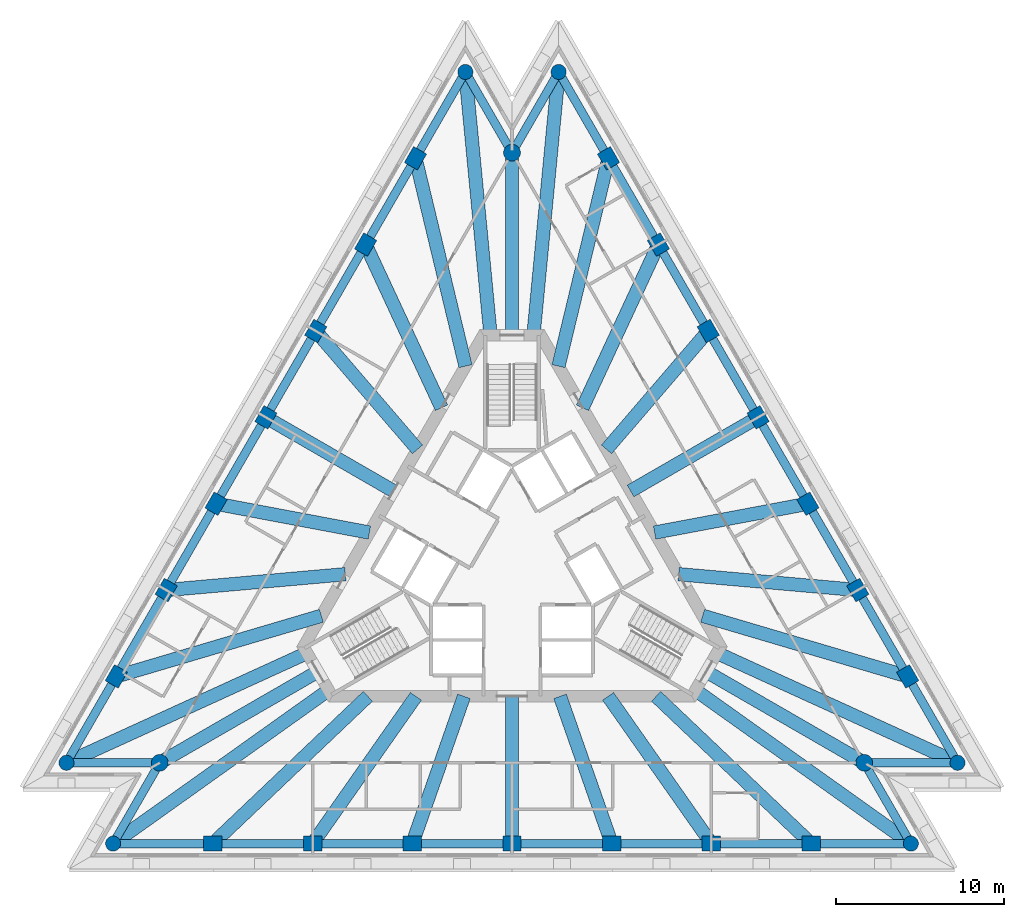
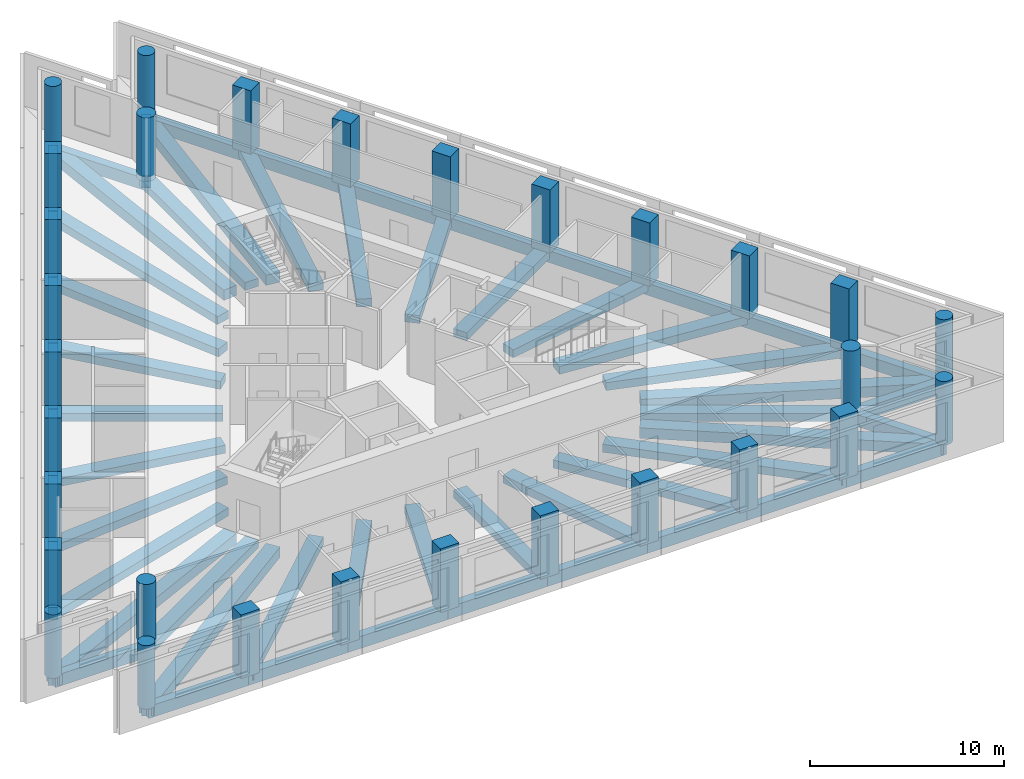
# One storey, part 1 of 9: 60 beams, 30 columns.
"""IFC4 building model written with IfcOpenShell, lengths in metres."""

from ifc_helpers import new_model, si_unit, direction, frame, origin, origin_2d, place, context, subcontext, project, spatial, rectangle, circle, extrude, material, material_profile, profile_set, type_object, element, save


model = new_model("IFC4")

# Units and contexts
model_context = context("Model", 3, precision=1e-05, world=origin(), true_north=direction((0.0, 1.0)))
body_context = subcontext(model_context, "Body", "Model", "MODEL_VIEW")
ifc_project = project(units=[si_unit("LENGTHUNIT", "METRE"), si_unit("AREAUNIT", "SQUARE_METRE"), si_unit("VOLUMEUNIT", "CUBIC_METRE"), si_unit("PLANEANGLEUNIT", "RADIAN"), si_unit("MASSUNIT", "GRAM", prefix="KILO")], contexts=[model_context])

# Site, building, storey
site_placement = place(None, origin())
site = spatial("IfcSite", under=ifc_project, at=site_placement, CompositionType="ELEMENT")
building_placement = place(site_placement, origin())
building = spatial("IfcBuilding", under=site, at=building_placement, Name="Triada Interchange Tower", CompositionType="ELEMENT")
storey_placement = place(building_placement, frame((0.0, 0.0, 235.300048828125)))
storey = spatial("IfcBuildingStorey", under=building, at=storey_placement, Name="L55", CompositionType="ELEMENT", Elevation=235.300048828125)

# Columns
ifc_material = material(Name="Concrete C50/60", Category="concrete")
ifc_material_profile_1 = material_profile(ifc_material, rectangle(XDim=1.10009765625, YDim=0.89990234375, at=origin_2d()), Name="RC 1100x900")
ifc_profile_set_1 = profile_set([ifc_material_profile_1], Name="Concrete C50/60")
column_type_1 = type_object("IfcColumnType", Name="Column C face RC 1100x900", PredefinedType="COLUMN", material=ifc_profile_set_1)
for number, where, z_axis, x_axis, name in (
    (1, (-5.7451171875, 23.882080078125, -0.300048828125), (0.0, 0.0, 1.0), (0.5, 0.866025403784, 0.0), "Column CC02 L55"),
    (2, (-8.714111328125, 18.740966796875, -0.300048828125), (0.0, 0.0, 1.0), (0.5, 0.866025403784, 0.0), "Column CC03 L55"),
    (3, (-11.681884765625, 13.60009765625, -0.300048828125), (0.0, 0.0, 1.0), (0.5, 0.866025403784, 0.0), "Column CC04 L55"),
    (4, (-14.65087890625, 8.4580078125, -0.300048828125), (0.0, 0.0, 1.0), (0.5, 0.866025403784, 0.0), "Column CC05 L55"),
    (5, (-17.618896484375, 3.31689453125, -0.300048828125), (0.0, 0.0, 1.0), (0.5, 0.866025403784, 0.0), "Column CC06 L55"),
    (6, (-20.5869140625, -1.823974609375, -0.300048828125), (0.0, 0.0, 1.0), (0.5, 0.866025403784, 0.0), "Column CC07 L55"),
    (7, (-23.555908203125, -6.965087890625, -0.300048828125), (0.0, 0.0, 1.0), (0.5, 0.866025403784, 0.0), "Column CC08 L55"),
    (8, (-17.81005859375, -16.9169921875, -0.300048828125), (0.0, 0.0, 1.0), (1.0, 0.0, 0.0), "Column CC11 L55"),
    (9, (-11.873046875, -16.9169921875, -0.300048828125), (0.0, 0.0, 1.0), (1.0, 0.0, 0.0), "Column CC12 L55"),
    (10, (-5.93603515625, -16.9169921875, -0.300048828125), (0.0, 0.0, 1.0), (1.0, 0.0, 0.0), "Column CC13 L55"),
    (11, (0.0, -16.9169921875, -0.300048828125), (0.0, 0.0, 1.0), (1.0, 0.0, 0.0), "Column CC14 L55"),
    (12, (5.93603515625, -16.9169921875, -0.300048828125), (0.0, 0.0, 1.0), (1.0, 0.0, 0.0), "Column CC15 L55"),
    (13, (11.873046875, -16.9169921875, -0.300048828125), (0.0, 0.0, 1.0), (1.0, 0.0, 0.0), "Column CC16 L55"),
    (14, (17.80908203125, -16.9169921875, -0.300048828125), (0.0, 0.0, 1.0), (1.0, 0.0, 0.0), "Column CC17 L55"),
    (15, (23.555908203125, -6.965087890625, -0.300048828125), (0.0, 0.0, 1.0), (-0.5, 0.866025403784, 0.0), "Column CC20 L55"),
    (16, (20.5869140625, -1.823974609375, -0.300048828125), (0.0, 0.0, 1.0), (-0.5, 0.866025403784, 0.0), "Column CC21 L55"),
    (17, (17.618896484375, 3.31689453125, -0.300048828125), (0.0, 0.0, 1.0), (-0.5, 0.866025403784, 0.0), "Column CC22 L55"),
    (18, (14.65087890625, 8.4580078125, -0.300048828125), (0.0, 0.0, 1.0), (-0.5, 0.866025403784, 0.0), "Column CC23 L55"),
    (19, (11.681884765625, 13.60009765625, -0.300048828125), (0.0, 0.0, 1.0), (-0.5, 0.866025403784, 0.0), "Column CC24 L55"),
    (20, (8.714111328125, 18.740966796875, -0.300048828125), (0.0, 0.0, 1.0), (-0.5, 0.866025403784, 0.0), "Column CC25 L55"),
    (21, (5.7451171875, 23.882080078125, -0.300048828125), (0.0, 0.0, 1.0), (-0.5, 0.866025403784, 0.0), "Column CC26 L55"),
):
    element("IfcColumn", number, at=place(storey_placement, frame(where, z_axis=z_axis, x_axis=x_axis)), inside=storey, type_object=column_type_1, Name=name, PredefinedType="COLUMN", context=body_context, shape_type="SweptSolid", body=[
        extrude(rectangle(XDim=1.10009765625, YDim=0.89990234375, at=origin_2d()), origin(), (0.0, 0.0, 1.0), 4.0),
    ])
ifc_material_profile_2 = material_profile(ifc_material, circle(Radius=0.449951171875, at=origin_2d()), Name="RC D900")
ifc_profile_set_2 = profile_set([ifc_material_profile_2], Name="Concrete C50/60")
column_type_2 = type_object("IfcColumnType", Name="End column C RC D900", PredefinedType="COLUMN", material=ifc_profile_set_2)
for number, where, z_axis, x_axis, name in (
    (22, (-2.777099609375, 29.02294921875, -0.300048828125), (0.0, 0.0, 1.0), (0.5, 0.866025403784, 0.0), "Column CC01 L55"),
    (23, (-26.52392578125, -12.10595703125, -0.300048828125), (0.0, 0.0, 1.0), (0.5, 0.866025403784, 0.0), "Column CC09 L55"),
    (24, (-23.74609375, -16.9169921875, -0.300048828125), (0.0, 0.0, 1.0), (1.0, 0.0, 0.0), "Column CC10 L55"),
    (25, (23.74609375, -16.9169921875, -0.300048828125), (0.0, 0.0, 1.0), (1.0, 0.0, 0.0), "Column CC18 L55"),
    (26, (26.52392578125, -12.10595703125, -0.300048828125), (0.0, 0.0, 1.0), (-0.5, 0.866025403784, 0.0), "Column CC19 L55"),
    (27, (2.777099609375, 29.02294921875, -0.300048828125), (0.0, 0.0, 1.0), (-0.5, 0.866025403784, 0.0), "Column CC27 L55"),
):
    element("IfcColumn", number, at=place(storey_placement, frame(where, z_axis=z_axis, x_axis=x_axis)), inside=storey, type_object=column_type_2, Name=name, PredefinedType="COLUMN", context=body_context, shape_type="SweptSolid", body=[
        extrude(circle(Radius=0.449951171875, at=origin_2d()), origin(), (0.0, 0.0, 1.0), 4.0),
    ])
ifc_material_profile_3 = material_profile(ifc_material, circle(Radius=0.5, at=origin_2d()), Name="RC D1000")
ifc_profile_set_3 = profile_set([ifc_material_profile_3], Name="Concrete C50/60")
column_type_3 = type_object("IfcColumnType", Name="Mega column C RC D1000", PredefinedType="COLUMN", material=ifc_profile_set_3)
for number, where, z_axis, x_axis, name in (
    (28, (0.0, 24.212890625, -0.300048828125), (0.0, 0.0, 1.0), (1.0, 0.0, 0.0), "Column MC1 L55"),
    (29, (-20.968994140625, -12.10595703125, -0.300048828125), (0.0, 0.0, 1.0), (1.0, 0.0, 0.0), "Column MC2 L55"),
    (30, (20.968994140625, -12.10595703125, -0.300048828125), (0.0, 0.0, 1.0), (1.0, 0.0, 0.0), "Column MC3 L55"),
):
    element("IfcColumn", number, at=place(storey_placement, frame(where, z_axis=z_axis, x_axis=x_axis)), inside=storey, type_object=column_type_3, Name=name, PredefinedType="COLUMN", context=body_context, shape_type="SweptSolid", body=[
        extrude(circle(Radius=0.5, at=origin_2d()), origin(), (0.0, 0.0, 1.0), 4.0),
    ])

# Beams
ifc_material_profile_4 = material_profile(ifc_material, rectangle(XDim=0.800048828125, YDim=0.5, at=origin_2d()), Name="RC 800x500")
ifc_profile_set_4 = profile_set([ifc_material_profile_4], Name="Concrete C50/60")
beam_type_1 = type_object("IfcBeamType", Name="Radial band beam C RC 800x500", PredefinedType="BEAM", material=ifc_profile_set_4)
beam_1_placement = place(storey_placement, frame((-5.7451171875, 23.882080078125, -0.550048828125), z_axis=(0.233879257631, -0.972265649321, 0.0), x_axis=(0.972265649321, 0.233879257631, 0.0)))
element("IfcBeam", 31, at=beam_1_placement, inside=storey, type_object=beam_type_1, Name="Radial band beam BC02 L55", PredefinedType="BEAM", context=body_context, shape_type="SweptSolid", body=[
    extrude(rectangle(XDim=0.800048828125, YDim=0.5, at=origin_2d()), origin(), (0.0, 0.0, 1.0), 12.72900390625),
])
beam_2_placement = place(storey_placement, frame((-8.714111328125, 18.740966796875, -0.550048828125), z_axis=(0.421649685725, -0.906758811663, 0.0), x_axis=(0.906758811663, 0.421649685725, 0.0)))
element("IfcBeam", 32, at=beam_2_placement, inside=storey, type_object=beam_type_1, Name="Radial band beam BC03 L55", PredefinedType="BEAM", context=body_context, shape_type="SweptSolid", body=[
    extrude(rectangle(XDim=0.800048828125, YDim=0.5, at=origin_2d()), origin(), (0.0, 0.0, 1.0), 10.710693359375),
])
beam_3_placement = place(storey_placement, frame((-11.681884765625, 13.60009765625, -0.550048828125), z_axis=(0.651580865015, -0.758579182648, 0.0), x_axis=(0.758579182648, 0.651580865015, 0.0)))
element("IfcBeam", 33, at=beam_3_placement, inside=storey, type_object=beam_type_1, Name="Radial band beam BC04 L55", PredefinedType="BEAM", context=body_context, shape_type="SweptSolid", body=[
    extrude(rectangle(XDim=0.800048828125, YDim=0.5, at=origin_2d()), origin(), (0.0, 0.0, 1.0), 9.291259765625),
])
beam_4_placement = place(storey_placement, frame((-14.65087890625, 8.4580078125, -0.550048828125), z_axis=(0.86605667378, -0.499945834867, 0.0), x_axis=(0.499945834867, 0.86605667378, 0.0)))
element("IfcBeam", 34, at=beam_4_placement, inside=storey, type_object=beam_type_1, Name="Radial band beam BC05 L55", PredefinedType="BEAM", context=body_context, shape_type="SweptSolid", body=[
    extrude(rectangle(XDim=0.800048828125, YDim=0.5, at=origin_2d()), origin(), (0.0, 0.0, 1.0), 8.76708984375),
])
beam_5_placement = place(storey_placement, frame((-17.618896484375, 3.31689453125, -0.550048828125), z_axis=(0.982736275121, -0.185011928159, 0.0), x_axis=(0.185011928159, 0.982736275121, 0.0)))
element("IfcBeam", 35, at=beam_5_placement, inside=storey, type_object=beam_type_1, Name="Radial band beam BC06 L55", PredefinedType="BEAM", context=body_context, shape_type="SweptSolid", body=[
    extrude(rectangle(XDim=0.800048828125, YDim=0.5, at=origin_2d()), origin(), (0.0, 0.0, 1.0), 9.291259765625),
])
beam_6_placement = place(storey_placement, frame((-20.5869140625, -1.823974609375, -0.550048828125), z_axis=(0.996099621029, 0.088235735309, 0.0), x_axis=(-0.088235735309, 0.996099621029, 0.0)))
element("IfcBeam", 36, at=beam_6_placement, inside=storey, type_object=beam_type_1, Name="Radial band beam BC07 L55", PredefinedType="BEAM", context=body_context, shape_type="SweptSolid", body=[
    extrude(rectangle(XDim=0.800048828125, YDim=0.5, at=origin_2d()), origin(), (0.0, 0.0, 1.0), 10.710693359375),
])
beam_7_placement = place(storey_placement, frame((-23.555908203125, -6.965087890625, -0.550048828125), z_axis=(0.958949461364, 0.283577027542, 0.0), x_axis=(-0.283577027542, 0.958949461364, 0.0)))
element("IfcBeam", 37, at=beam_7_placement, inside=storey, type_object=beam_type_1, Name="Radial band beam BC08 L55", PredefinedType="BEAM", context=body_context, shape_type="SweptSolid", body=[
    extrude(rectangle(XDim=0.800048828125, YDim=0.5, at=origin_2d()), origin(), (0.0, 0.0, 1.0), 12.730712890625),
])
beam_8_placement = place(storey_placement, frame((-20.968994140625, -12.10595703125, -0.550048828125), z_axis=(0.866033999634, 0.499985111257, 0.0), x_axis=(-0.499985111257, 0.866033999634, 0.0)))
element("IfcBeam", 38, at=beam_8_placement, inside=storey, type_object=beam_type_1, Name="Radial band beam BC10 L55", PredefinedType="BEAM", context=body_context, shape_type="SweptSolid", body=[
    extrude(rectangle(XDim=0.800048828125, YDim=0.5, at=origin_2d()), origin(), (0.0, 0.0, 1.0), 10.862060546875),
])
beam_9_placement = place(storey_placement, frame((-17.81005859375, -16.9169921875, -0.550048828125), z_axis=(0.725054017589, 0.688692000519, 0.0), x_axis=(-0.688692000519, 0.725054017589, 0.0)))
element("IfcBeam", 39, at=beam_9_placement, inside=storey, type_object=beam_type_1, Name="Radial band beam BC12 L55", PredefinedType="BEAM", context=body_context, shape_type="SweptSolid", body=[
    extrude(rectangle(XDim=0.800048828125, YDim=0.5, at=origin_2d()), origin(), (0.0, 0.0, 1.0), 12.72998046875),
])
beam_10_placement = place(storey_placement, frame((-11.873046875, -16.9169921875, -0.550048828125), z_axis=(0.574471566086, 0.818524538275, 0.0), x_axis=(-0.818524538275, 0.574471566086, 0.0)))
element("IfcBeam", 40, at=beam_10_placement, inside=storey, type_object=beam_type_1, Name="Radial band beam BC13 L55", PredefinedType="BEAM", context=body_context, shape_type="SweptSolid", body=[
    extrude(rectangle(XDim=0.800048828125, YDim=0.5, at=origin_2d()), origin(), (0.0, 0.0, 1.0), 10.7109375),
])
beam_11_placement = place(storey_placement, frame((-5.93603515625, -16.9169921875, -0.550048828125), z_axis=(0.33106431636, 0.943608191165, 0.0), x_axis=(-0.943608191165, 0.33106431636, 0.0)))
element("IfcBeam", 41, at=beam_11_placement, inside=storey, type_object=beam_type_1, Name="Radial band beam BC14 L55", PredefinedType="BEAM", context=body_context, shape_type="SweptSolid", body=[
    extrude(rectangle(XDim=0.800048828125, YDim=0.5, at=origin_2d()), origin(), (0.0, 0.0, 1.0), 9.291015625),
])
beam_12_placement = place(storey_placement, frame((0.0, -16.9169921875, -0.550048828125), z_axis=(0.0, 1.0, 0.0), x_axis=(-1.0, 0.0, 0.0)))
element("IfcBeam", 42, at=beam_12_placement, inside=storey, type_object=beam_type_1, Name="Radial band beam BC15 L55", PredefinedType="BEAM", context=body_context, shape_type="SweptSolid", body=[
    extrude(rectangle(XDim=0.800048828125, YDim=0.5, at=origin_2d()), origin(), (0.0, 0.0, 1.0), 8.76708984375),
])
beam_13_placement = place(storey_placement, frame((5.93603515625, -16.9169921875, -0.550048828125), z_axis=(-0.33106431636, 0.943608191165, 0.0), x_axis=(-0.943608191165, -0.33106431636, 0.0)))
element("IfcBeam", 43, at=beam_13_placement, inside=storey, type_object=beam_type_1, Name="Radial band beam BC16 L55", PredefinedType="BEAM", context=body_context, shape_type="SweptSolid", body=[
    extrude(rectangle(XDim=0.800048828125, YDim=0.5, at=origin_2d()), origin(), (0.0, 0.0, 1.0), 9.291015625),
])
beam_14_placement = place(storey_placement, frame((11.873046875, -16.9169921875, -0.550048828125), z_axis=(-0.574471566086, 0.818524538275, 0.0), x_axis=(-0.818524538275, -0.574471566086, 0.0)))
element("IfcBeam", 44, at=beam_14_placement, inside=storey, type_object=beam_type_1, Name="Radial band beam BC17 L55", PredefinedType="BEAM", context=body_context, shape_type="SweptSolid", body=[
    extrude(rectangle(XDim=0.800048828125, YDim=0.5, at=origin_2d()), origin(), (0.0, 0.0, 1.0), 10.7109375),
])
beam_15_placement = place(storey_placement, frame((17.80908203125, -16.9169921875, -0.550048828125), z_axis=(-0.725017629777, 0.688730307531, 0.0), x_axis=(-0.688730307531, -0.725017629777, 0.0)))
element("IfcBeam", 45, at=beam_15_placement, inside=storey, type_object=beam_type_1, Name="Radial band beam BC18 L55", PredefinedType="BEAM", context=body_context, shape_type="SweptSolid", body=[
    extrude(rectangle(XDim=0.800048828125, YDim=0.5, at=origin_2d()), origin(), (0.0, 0.0, 1.0), 12.729248046875),
])
beam_16_placement = place(storey_placement, frame((20.968994140625, -12.10595703125, -0.550048828125), z_axis=(-0.866033999634, 0.499985111257, 0.0), x_axis=(-0.499985111257, -0.866033999634, 0.0)))
element("IfcBeam", 46, at=beam_16_placement, inside=storey, type_object=beam_type_1, Name="Radial band beam BC20 L55", PredefinedType="BEAM", context=body_context, shape_type="SweptSolid", body=[
    extrude(rectangle(XDim=0.800048828125, YDim=0.5, at=origin_2d()), origin(), (0.0, 0.0, 1.0), 10.862060546875),
])
beam_17_placement = place(storey_placement, frame((23.555908203125, -6.965087890625, -0.550048828125), z_axis=(-0.958949461364, 0.283577027542, 0.0), x_axis=(-0.283577027542, -0.958949461364, 0.0)))
element("IfcBeam", 47, at=beam_17_placement, inside=storey, type_object=beam_type_1, Name="Radial band beam BC22 L55", PredefinedType="BEAM", context=body_context, shape_type="SweptSolid", body=[
    extrude(rectangle(XDim=0.800048828125, YDim=0.5, at=origin_2d()), origin(), (0.0, 0.0, 1.0), 12.730712890625),
])
beam_18_placement = place(storey_placement, frame((20.5869140625, -1.823974609375, -0.550048828125), z_axis=(-0.996099621029, 0.088235735309, 0.0), x_axis=(-0.088235735309, -0.996099621029, 0.0)))
element("IfcBeam", 48, at=beam_18_placement, inside=storey, type_object=beam_type_1, Name="Radial band beam BC23 L55", PredefinedType="BEAM", context=body_context, shape_type="SweptSolid", body=[
    extrude(rectangle(XDim=0.800048828125, YDim=0.5, at=origin_2d()), origin(), (0.0, 0.0, 1.0), 10.710693359375),
])
beam_19_placement = place(storey_placement, frame((17.618896484375, 3.31689453125, -0.550048828125), z_axis=(-0.982736275121, -0.185011928159, 0.0), x_axis=(0.185011928159, -0.982736275121, 0.0)))
element("IfcBeam", 49, at=beam_19_placement, inside=storey, type_object=beam_type_1, Name="Radial band beam BC24 L55", PredefinedType="BEAM", context=body_context, shape_type="SweptSolid", body=[
    extrude(rectangle(XDim=0.800048828125, YDim=0.5, at=origin_2d()), origin(), (0.0, 0.0, 1.0), 9.291259765625),
])
beam_20_placement = place(storey_placement, frame((14.65087890625, 8.4580078125, -0.550048828125), z_axis=(-0.86605667378, -0.499945834867, 0.0), x_axis=(0.499945834867, -0.86605667378, 0.0)))
element("IfcBeam", 50, at=beam_20_placement, inside=storey, type_object=beam_type_1, Name="Radial band beam BC25 L55", PredefinedType="BEAM", context=body_context, shape_type="SweptSolid", body=[
    extrude(rectangle(XDim=0.800048828125, YDim=0.5, at=origin_2d()), origin(), (0.0, 0.0, 1.0), 8.76708984375),
])
beam_21_placement = place(storey_placement, frame((11.681884765625, 13.60009765625, -0.550048828125), z_axis=(-0.651580865015, -0.758579182648, 0.0), x_axis=(0.758579182648, -0.651580865015, 0.0)))
element("IfcBeam", 51, at=beam_21_placement, inside=storey, type_object=beam_type_1, Name="Radial band beam BC26 L55", PredefinedType="BEAM", context=body_context, shape_type="SweptSolid", body=[
    extrude(rectangle(XDim=0.800048828125, YDim=0.5, at=origin_2d()), origin(), (0.0, 0.0, 1.0), 9.291259765625),
])
beam_22_placement = place(storey_placement, frame((8.714111328125, 18.740966796875, -0.550048828125), z_axis=(-0.421649685725, -0.906758811663, 0.0), x_axis=(0.906758811663, -0.421649685725, 0.0)))
element("IfcBeam", 52, at=beam_22_placement, inside=storey, type_object=beam_type_1, Name="Radial band beam BC27 L55", PredefinedType="BEAM", context=body_context, shape_type="SweptSolid", body=[
    extrude(rectangle(XDim=0.800048828125, YDim=0.5, at=origin_2d()), origin(), (0.0, 0.0, 1.0), 10.710693359375),
])
beam_23_placement = place(storey_placement, frame((5.7451171875, 23.882080078125, -0.550048828125), z_axis=(-0.233879257631, -0.972265649321, 0.0), x_axis=(0.972265649321, -0.233879257631, 0.0)))
element("IfcBeam", 53, at=beam_23_placement, inside=storey, type_object=beam_type_1, Name="Radial band beam BC28 L55", PredefinedType="BEAM", context=body_context, shape_type="SweptSolid", body=[
    extrude(rectangle(XDim=0.800048828125, YDim=0.5, at=origin_2d()), origin(), (0.0, 0.0, 1.0), 12.72900390625),
])
beam_24_placement = place(storey_placement, frame((0.0, 24.212890625, -0.550048828125), z_axis=(0.0, -1.0, 0.0), x_axis=(1.0, 0.0, 0.0)))
element("IfcBeam", 54, at=beam_24_placement, inside=storey, type_object=beam_type_1, Name="Radial band beam BC30 L55", PredefinedType="BEAM", context=body_context, shape_type="SweptSolid", body=[
    extrude(rectangle(XDim=0.800048828125, YDim=0.5, at=origin_2d()), origin(), (0.0, 0.0, 1.0), 10.86279296875),
])
ifc_material_profile_5 = material_profile(ifc_material, rectangle(XDim=0.800048828125, YDim=0.64990234375, at=origin_2d()), Name="RC 800x650")
ifc_profile_set_5 = profile_set([ifc_material_profile_5], Name="Concrete C50/60")
beam_type_2 = type_object("IfcBeamType", Name="Radial band beam C RC 800x650", PredefinedType="BEAM", material=ifc_profile_set_5)
beam_25_placement = place(storey_placement, frame((-2.777099609375, 29.02294921875, -0.625), z_axis=(0.095271557567, -0.995451319914, 0.0), x_axis=(0.995451319914, 0.095271557567, 0.0)))
element("IfcBeam", 55, at=beam_25_placement, inside=storey, type_object=beam_type_2, Name="Radial band beam BC01 L55", PredefinedType="BEAM", context=body_context, shape_type="SweptSolid", body=[
    extrude(rectangle(XDim=0.800048828125, YDim=0.64990234375, at=origin_2d()), origin(), (0.0, 0.0, 1.0), 15.744384765625),
])
beam_26_placement = place(storey_placement, frame((-26.52392578125, -12.10595703125, -0.625), z_axis=(0.909720728045, 0.41522066057, 0.0), x_axis=(-0.41522066057, 0.909720728045, 0.0)))
element("IfcBeam", 56, at=beam_26_placement, inside=storey, type_object=beam_type_2, Name="Radial band beam BC09 L55", PredefinedType="BEAM", context=body_context, shape_type="SweptSolid", body=[
    extrude(rectangle(XDim=0.800048828125, YDim=0.64990234375, at=origin_2d()), origin(), (0.0, 0.0, 1.0), 15.745361328125),
])
for number, where, z_axis, x_axis, name in (
    (57, (-23.74609375, -16.9169921875, -0.625), (0.814462068042, 0.580216804066, 0.0), (-0.580216804066, 0.814462068042, 0.0), "Radial band beam BC11 L55"),
    (58, (23.74609375, -16.9169921875, -0.625), (-0.814462068042, 0.580216804066, 0.0), (-0.580216804066, -0.814462068042, 0.0), "Radial band beam BC19 L55"),
):
    element("IfcBeam", number, at=place(storey_placement, frame(where, z_axis=z_axis, x_axis=x_axis)), inside=storey, type_object=beam_type_2, Name=name, PredefinedType="BEAM", context=body_context, shape_type="SweptSolid", body=[
        extrude(rectangle(XDim=0.800048828125, YDim=0.64990234375, at=origin_2d()), origin(), (0.0, 0.0, 1.0), 15.744140625),
    ])
beam_27_placement = place(storey_placement, frame((26.52392578125, -12.10595703125, -0.625), z_axis=(-0.909720728045, 0.41522066057, 0.0), x_axis=(-0.41522066057, -0.909720728045, 0.0)))
element("IfcBeam", 59, at=beam_27_placement, inside=storey, type_object=beam_type_2, Name="Radial band beam BC21 L55", PredefinedType="BEAM", context=body_context, shape_type="SweptSolid", body=[
    extrude(rectangle(XDim=0.800048828125, YDim=0.64990234375, at=origin_2d()), origin(), (0.0, 0.0, 1.0), 15.745361328125),
])
beam_28_placement = place(storey_placement, frame((2.777099609375, 29.02294921875, -0.625), z_axis=(-0.095271557567, -0.995451319914, 0.0), x_axis=(0.995451319914, -0.095271557567, 0.0)))
element("IfcBeam", 60, at=beam_28_placement, inside=storey, type_object=beam_type_2, Name="Radial band beam BC29 L55", PredefinedType="BEAM", context=body_context, shape_type="SweptSolid", body=[
    extrude(rectangle(XDim=0.800048828125, YDim=0.64990234375, at=origin_2d()), origin(), (0.0, 0.0, 1.0), 15.744384765625),
])
ifc_material_profile_6 = material_profile(ifc_material, rectangle(XDim=0.5, YDim=0.75, at=origin_2d()), Name="RC 500x750")
ifc_profile_set_6 = profile_set([ifc_material_profile_6], Name="Concrete C50/60")
beam_type_3 = type_object("IfcBeamType", Name="Spandrel beam C RC 500x750", PredefinedType="BEAM", material=ifc_profile_set_6)
beam_29_placement = place(storey_placement, frame((-2.777099609375, 29.02294921875, -0.675048828125), z_axis=(-0.499991837581, -0.866030116308, 0.0), x_axis=(0.866030116308, -0.499991837581, 0.0)))
element("IfcBeam", 61, at=beam_29_placement, inside=storey, type_object=beam_type_3, Name="Spandrel beam EC01 L55", PredefinedType="BEAM", context=body_context, shape_type="SweptSolid", body=[
    extrude(rectangle(XDim=0.5, YDim=0.75, at=origin_2d()), origin(), (0.0, 0.0, 1.0), 5.93603515625),
])
beam_30_placement = place(storey_placement, frame((-5.7451171875, 23.882080078125, -0.675048828125), z_axis=(-0.500097397748, -0.865969163866, 0.0), x_axis=(0.865969163866, -0.500097397748, 0.0)))
element("IfcBeam", 62, at=beam_30_placement, inside=storey, type_object=beam_type_3, Name="Spandrel beam EC02 L55", PredefinedType="BEAM", context=body_context, shape_type="SweptSolid", body=[
    extrude(rectangle(XDim=0.5, YDim=0.75, at=origin_2d()), origin(), (0.0, 0.0, 1.0), 5.936767578125),
])
beam_31_placement = place(storey_placement, frame((-8.714111328125, 18.740966796875, -0.675048828125), z_axis=(-0.499960990372, -0.866047924832, 0.0), x_axis=(0.866047924832, -0.499960990372, 0.0)))
element("IfcBeam", 63, at=beam_31_placement, inside=storey, type_object=beam_type_3, Name="Spandrel beam EC03 L55", PredefinedType="BEAM", context=body_context, shape_type="SweptSolid", body=[
    extrude(rectangle(XDim=0.5, YDim=0.75, at=origin_2d()), origin(), (0.0, 0.0, 1.0), 5.93603515625),
])
beam_32_placement = place(storey_placement, frame((-11.681884765625, 13.60009765625, -0.675048828125), z_axis=(-0.500026169744, -0.866010294149, 0.0), x_axis=(0.866010294149, -0.500026169744, 0.0)))
element("IfcBeam", 64, at=beam_32_placement, inside=storey, type_object=beam_type_3, Name="Spandrel beam EC04 L55", PredefinedType="BEAM", context=body_context, shape_type="SweptSolid", body=[
    extrude(rectangle(XDim=0.5, YDim=0.75, at=origin_2d()), origin(), (0.0, 0.0, 1.0), 5.937744140625),
])
beam_33_placement = place(storey_placement, frame((-14.65087890625, 8.4580078125, -0.675048828125), z_axis=(-0.499974029402, -0.866040397397, 0.0), x_axis=(0.866040397397, -0.499974029402, 0.0)))
element("IfcBeam", 65, at=beam_33_placement, inside=storey, type_object=beam_type_3, Name="Spandrel beam EC05 L55", PredefinedType="BEAM", context=body_context, shape_type="SweptSolid", body=[
    extrude(rectangle(XDim=0.5, YDim=0.75, at=origin_2d()), origin(), (0.0, 0.0, 1.0), 5.936279296875),
])
beam_34_placement = place(storey_placement, frame((-17.618896484375, 3.31689453125, -0.675048828125), z_axis=(-0.499991837581, -0.866030116308, 0.0), x_axis=(0.866030116308, -0.499991837581, 0.0)))
element("IfcBeam", 66, at=beam_34_placement, inside=storey, type_object=beam_type_3, Name="Spandrel beam EC06 L55", PredefinedType="BEAM", context=body_context, shape_type="SweptSolid", body=[
    extrude(rectangle(XDim=0.5, YDim=0.75, at=origin_2d()), origin(), (0.0, 0.0, 1.0), 5.93603515625),
])
beam_35_placement = place(storey_placement, frame((-20.5869140625, -1.823974609375, -0.675048828125), z_axis=(-0.500097397748, -0.865969163866, 0.0), x_axis=(0.865969163866, -0.500097397748, 0.0)))
element("IfcBeam", 67, at=beam_35_placement, inside=storey, type_object=beam_type_3, Name="Spandrel beam EC07 L55", PredefinedType="BEAM", context=body_context, shape_type="SweptSolid", body=[
    extrude(rectangle(XDim=0.5, YDim=0.75, at=origin_2d()), origin(), (0.0, 0.0, 1.0), 5.936767578125),
])
beam_36_placement = place(storey_placement, frame((-23.555908203125, -6.965087890625, -0.675048828125), z_axis=(-0.499991837581, -0.866030116308, 0.0), x_axis=(0.866030116308, -0.499991837581, 0.0)))
element("IfcBeam", 68, at=beam_36_placement, inside=storey, type_object=beam_type_3, Name="Spandrel beam EC08 L55", PredefinedType="BEAM", context=body_context, shape_type="SweptSolid", body=[
    extrude(rectangle(XDim=0.5, YDim=0.75, at=origin_2d()), origin(), (0.0, 0.0, 1.0), 5.93603515625),
])
for number, where, z_axis, x_axis, name in (
    (69, (-26.52392578125, -12.10595703125, -0.675048828125), (1.0, 0.0, 0.0), (0.0, 1.0, 0.0), "Spandrel beam EC09 L55"),
    (70, (-20.968994140625, -12.10595703125, -0.675048828125), (-0.499925358584, -0.866068493737, 0.0), (0.866068493737, -0.499925358584, 0.0), "Spandrel beam EC10 L55"),
):
    element("IfcBeam", number, at=place(storey_placement, frame(where, z_axis=z_axis, x_axis=x_axis)), inside=storey, type_object=beam_type_3, Name=name, PredefinedType="BEAM", context=body_context, shape_type="SweptSolid", body=[
        extrude(rectangle(XDim=0.5, YDim=0.75, at=origin_2d()), origin(), (0.0, 0.0, 1.0), 5.554931640625),
    ])
beam_37_placement = place(storey_placement, frame((-23.74609375, -16.9169921875, -0.675048828125), z_axis=(1.0, 0.0, 0.0), x_axis=(0.0, 1.0, 0.0)))
element("IfcBeam", 71, at=beam_37_placement, inside=storey, type_object=beam_type_3, Name="Spandrel beam EC11 L55", PredefinedType="BEAM", context=body_context, shape_type="SweptSolid", body=[
    extrude(rectangle(XDim=0.5, YDim=0.75, at=origin_2d()), origin(), (0.0, 0.0, 1.0), 5.93603515625),
])
for number, where, z_axis, x_axis, name in (
    (72, (-17.81005859375, -16.9169921875, -0.675048828125), (1.0, 0.0, 0.0), (0.0, 1.0, 0.0), "Spandrel beam EC12 L55"),
    (73, (-11.873046875, -16.9169921875, -0.675048828125), (1.0, 0.0, 0.0), (0.0, 1.0, 0.0), "Spandrel beam EC13 L55"),
):
    element("IfcBeam", number, at=place(storey_placement, frame(where, z_axis=z_axis, x_axis=x_axis)), inside=storey, type_object=beam_type_3, Name=name, PredefinedType="BEAM", context=body_context, shape_type="SweptSolid", body=[
        extrude(rectangle(XDim=0.5, YDim=0.75, at=origin_2d()), origin(), (0.0, 0.0, 1.0), 5.93701171875),
    ])
for number, where, z_axis, x_axis, name in (
    (74, (-5.93603515625, -16.9169921875, -0.675048828125), (1.0, 0.0, 0.0), (0.0, 1.0, 0.0), "Spandrel beam EC14 L55"),
    (75, (0.0, -16.9169921875, -0.675048828125), (1.0, 0.0, 0.0), (0.0, 1.0, 0.0), "Spandrel beam EC15 L55"),
):
    element("IfcBeam", number, at=place(storey_placement, frame(where, z_axis=z_axis, x_axis=x_axis)), inside=storey, type_object=beam_type_3, Name=name, PredefinedType="BEAM", context=body_context, shape_type="SweptSolid", body=[
        extrude(rectangle(XDim=0.5, YDim=0.75, at=origin_2d()), origin(), (0.0, 0.0, 1.0), 5.93603515625),
    ])
beam_38_placement = place(storey_placement, frame((5.93603515625, -16.9169921875, -0.675048828125), z_axis=(1.0, 0.0, 0.0), x_axis=(0.0, 1.0, 0.0)))
element("IfcBeam", 76, at=beam_38_placement, inside=storey, type_object=beam_type_3, Name="Spandrel beam EC16 L55", PredefinedType="BEAM", context=body_context, shape_type="SweptSolid", body=[
    extrude(rectangle(XDim=0.5, YDim=0.75, at=origin_2d()), origin(), (0.0, 0.0, 1.0), 5.93701171875),
])
beam_39_placement = place(storey_placement, frame((11.873046875, -16.9169921875, -0.675048828125), z_axis=(1.0, 0.0, 0.0), x_axis=(0.0, 1.0, 0.0)))
element("IfcBeam", 77, at=beam_39_placement, inside=storey, type_object=beam_type_3, Name="Spandrel beam EC17 L55", PredefinedType="BEAM", context=body_context, shape_type="SweptSolid", body=[
    extrude(rectangle(XDim=0.5, YDim=0.75, at=origin_2d()), origin(), (0.0, 0.0, 1.0), 5.93603515625),
])
beam_40_placement = place(storey_placement, frame((17.80908203125, -16.9169921875, -0.675048828125), z_axis=(1.0, 0.0, 0.0), x_axis=(0.0, 1.0, 0.0)))
element("IfcBeam", 78, at=beam_40_placement, inside=storey, type_object=beam_type_3, Name="Spandrel beam EC18 L55", PredefinedType="BEAM", context=body_context, shape_type="SweptSolid", body=[
    extrude(rectangle(XDim=0.5, YDim=0.75, at=origin_2d()), origin(), (0.0, 0.0, 1.0), 5.93701171875),
])
for number, where, z_axis, x_axis, name in (
    (79, (23.74609375, -16.9169921875, -0.675048828125), (-0.499925358584, 0.866068493737, 0.0), (-0.866068493737, -0.499925358584, 0.0), "Spandrel beam EC19 L55"),
    (80, (20.968994140625, -12.10595703125, -0.675048828125), (1.0, 0.0, 0.0), (0.0, 1.0, 0.0), "Spandrel beam EC20 L55"),
):
    element("IfcBeam", number, at=place(storey_placement, frame(where, z_axis=z_axis, x_axis=x_axis)), inside=storey, type_object=beam_type_3, Name=name, PredefinedType="BEAM", context=body_context, shape_type="SweptSolid", body=[
        extrude(rectangle(XDim=0.5, YDim=0.75, at=origin_2d()), origin(), (0.0, 0.0, 1.0), 5.554931640625),
    ])
beam_41_placement = place(storey_placement, frame((26.52392578125, -12.10595703125, -0.675048828125), z_axis=(-0.499991837581, 0.866030116308, 0.0), x_axis=(-0.866030116308, -0.499991837581, 0.0)))
element("IfcBeam", 81, at=beam_41_placement, inside=storey, type_object=beam_type_3, Name="Spandrel beam EC21 L55", PredefinedType="BEAM", context=body_context, shape_type="SweptSolid", body=[
    extrude(rectangle(XDim=0.5, YDim=0.75, at=origin_2d()), origin(), (0.0, 0.0, 1.0), 5.93603515625),
])
beam_42_placement = place(storey_placement, frame((23.555908203125, -6.965087890625, -0.675048828125), z_axis=(-0.500097397748, 0.865969163866, 0.0), x_axis=(-0.865969163866, -0.500097397748, 0.0)))
element("IfcBeam", 82, at=beam_42_placement, inside=storey, type_object=beam_type_3, Name="Spandrel beam EC22 L55", PredefinedType="BEAM", context=body_context, shape_type="SweptSolid", body=[
    extrude(rectangle(XDim=0.5, YDim=0.75, at=origin_2d()), origin(), (0.0, 0.0, 1.0), 5.936767578125),
])
beam_43_placement = place(storey_placement, frame((20.5869140625, -1.823974609375, -0.675048828125), z_axis=(-0.499991837581, 0.866030116308, 0.0), x_axis=(-0.866030116308, -0.499991837581, 0.0)))
element("IfcBeam", 83, at=beam_43_placement, inside=storey, type_object=beam_type_3, Name="Spandrel beam EC23 L55", PredefinedType="BEAM", context=body_context, shape_type="SweptSolid", body=[
    extrude(rectangle(XDim=0.5, YDim=0.75, at=origin_2d()), origin(), (0.0, 0.0, 1.0), 5.93603515625),
])
beam_44_placement = place(storey_placement, frame((17.618896484375, 3.31689453125, -0.675048828125), z_axis=(-0.499974029402, 0.866040397397, 0.0), x_axis=(-0.866040397397, -0.499974029402, 0.0)))
element("IfcBeam", 84, at=beam_44_placement, inside=storey, type_object=beam_type_3, Name="Spandrel beam EC24 L55", PredefinedType="BEAM", context=body_context, shape_type="SweptSolid", body=[
    extrude(rectangle(XDim=0.5, YDim=0.75, at=origin_2d()), origin(), (0.0, 0.0, 1.0), 5.936279296875),
])
beam_45_placement = place(storey_placement, frame((14.65087890625, 8.4580078125, -0.675048828125), z_axis=(-0.500026169744, 0.866010294149, 0.0), x_axis=(-0.866010294149, -0.500026169744, 0.0)))
element("IfcBeam", 85, at=beam_45_placement, inside=storey, type_object=beam_type_3, Name="Spandrel beam EC25 L55", PredefinedType="BEAM", context=body_context, shape_type="SweptSolid", body=[
    extrude(rectangle(XDim=0.5, YDim=0.75, at=origin_2d()), origin(), (0.0, 0.0, 1.0), 5.937744140625),
])
beam_46_placement = place(storey_placement, frame((11.681884765625, 13.60009765625, -0.675048828125), z_axis=(-0.499960990372, 0.866047924832, 0.0), x_axis=(-0.866047924832, -0.499960990372, 0.0)))
element("IfcBeam", 86, at=beam_46_placement, inside=storey, type_object=beam_type_3, Name="Spandrel beam EC26 L55", PredefinedType="BEAM", context=body_context, shape_type="SweptSolid", body=[
    extrude(rectangle(XDim=0.5, YDim=0.75, at=origin_2d()), origin(), (0.0, 0.0, 1.0), 5.93603515625),
])
beam_47_placement = place(storey_placement, frame((8.714111328125, 18.740966796875, -0.675048828125), z_axis=(-0.500097397748, 0.865969163866, 0.0), x_axis=(-0.865969163866, -0.500097397748, 0.0)))
element("IfcBeam", 87, at=beam_47_placement, inside=storey, type_object=beam_type_3, Name="Spandrel beam EC27 L55", PredefinedType="BEAM", context=body_context, shape_type="SweptSolid", body=[
    extrude(rectangle(XDim=0.5, YDim=0.75, at=origin_2d()), origin(), (0.0, 0.0, 1.0), 5.936767578125),
])
beam_48_placement = place(storey_placement, frame((5.7451171875, 23.882080078125, -0.675048828125), z_axis=(-0.499991837581, 0.866030116308, 0.0), x_axis=(-0.866030116308, -0.499991837581, 0.0)))
element("IfcBeam", 88, at=beam_48_placement, inside=storey, type_object=beam_type_3, Name="Spandrel beam EC28 L55", PredefinedType="BEAM", context=body_context, shape_type="SweptSolid", body=[
    extrude(rectangle(XDim=0.5, YDim=0.75, at=origin_2d()), origin(), (0.0, 0.0, 1.0), 5.93603515625),
])
for number, where, z_axis, x_axis, name in (
    (89, (2.777099609375, 29.02294921875, -0.675048828125), (-0.500001483402, -0.86602454734, 0.0), (0.86602454734, -0.500001483402, 0.0), "Spandrel beam EC29 L55"),
    (90, (0.0, 24.212890625, -0.675048828125), (-0.500001483402, 0.86602454734, 0.0), (-0.86602454734, -0.500001483402, 0.0), "Spandrel beam EC30 L55"),
):
    element("IfcBeam", number, at=place(storey_placement, frame(where, z_axis=z_axis, x_axis=x_axis)), inside=storey, type_object=beam_type_3, Name=name, PredefinedType="BEAM", context=body_context, shape_type="SweptSolid", body=[
        extrude(rectangle(XDim=0.5, YDim=0.75, at=origin_2d()), origin(), (0.0, 0.0, 1.0), 5.55419921875),
    ])

save(model, "model.ifc")
